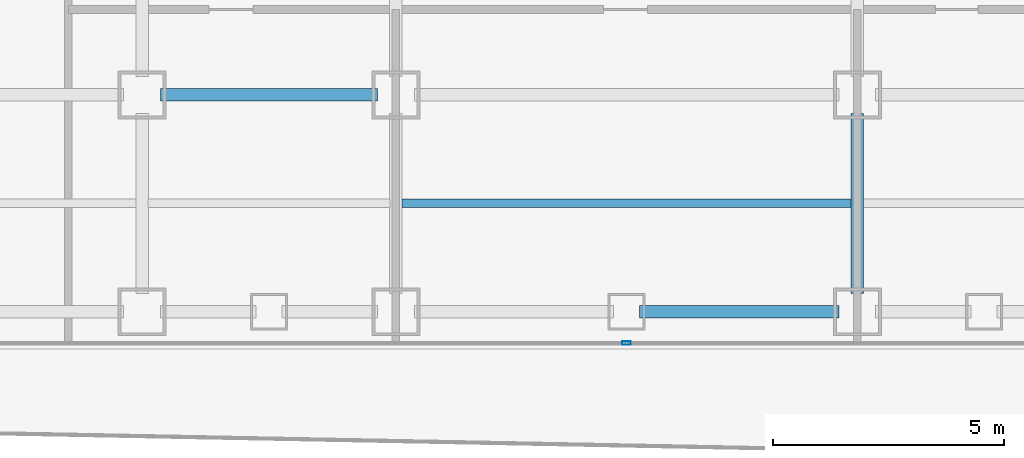
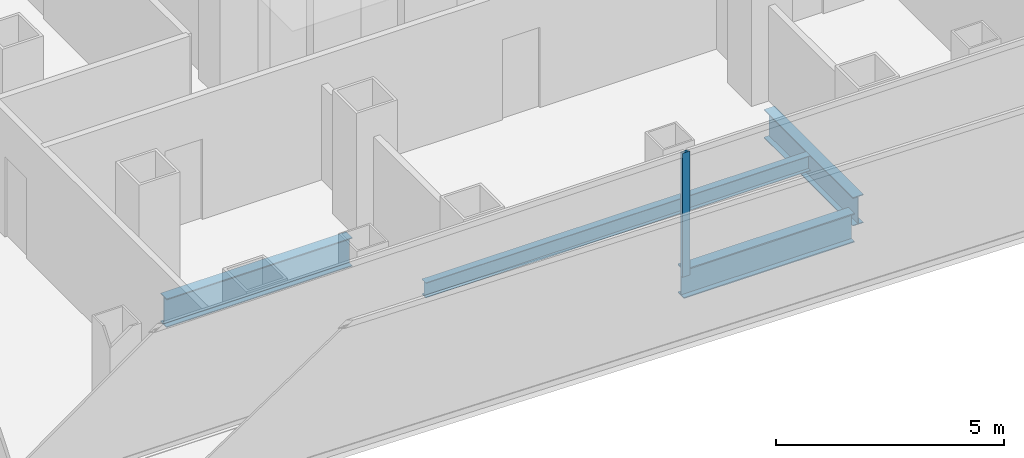
# One storey, part 4 of 21: 4 beams, 1 member, 1 element without a shape of its own.
"""IFC4 building model written with IfcOpenShell, lengths in metres."""

from ifc_helpers import new_model, si_unit, direction, frame, origin, origin_2d, place, context, subcontext, project, spatial, hollow_rectangle, i_section, extrude, source, transform, mapped, material, layer, layer_set, material_profile, profile_set, type_object, element, aggregate, save


model = new_model("IFC4")

# Units and contexts
model_context = context("Model", 3, precision=1e-05, world=origin(), true_north=direction((0.0, 1.0)))
body_context = subcontext(model_context, "Body", "Model", "MODEL_VIEW")
ifc_project = project(units=[si_unit("LENGTHUNIT", "METRE"), si_unit("AREAUNIT", "SQUARE_METRE"), si_unit("VOLUMEUNIT", "CUBIC_METRE"), si_unit("PLANEANGLEUNIT", "RADIAN"), si_unit("MASSUNIT", "GRAM", prefix="KILO")], contexts=[model_context])

# Site, building, storey
site_placement = place(None, origin())
site = spatial("IfcSite", under=ifc_project, at=site_placement, CompositionType="ELEMENT")
building_placement = place(site_placement, origin())
building = spatial("IfcBuilding", under=site, at=building_placement, Name="Kolveth Station Tower", CompositionType="ELEMENT")
storey_placement = place(building_placement, frame((0.0, 0.0, 33.300048828125)))
storey = spatial("IfcBuildingStorey", under=building, at=storey_placement, Name="L08", CompositionType="ELEMENT", Elevation=33.300048828125)

# Beams
ifc_material_1 = material(Name="Steel S355", Category="steel")
ifc_material_profile_1 = material_profile(ifc_material_1, i_section(OverallWidth=0.26904296875, OverallDepth=0.77490234375, WebThickness=0.01708984375, FlangeThickness=0.0283203125, at=origin_2d()), Name="W760x220")
ifc_profile_set_1 = profile_set([ifc_material_profile_1], Name="Steel S355")
beam_type_1 = type_object("IfcBeamType", Name="Beam_SP1", PredefinedType="SPANDREL", material=ifc_profile_set_1)
shared_shape_1 = source(origin(), body_context, "Body", "SweptSolid", [
    extrude(i_section(OverallWidth=0.26904296875, OverallDepth=0.77490234375, WebThickness=0.01708984375, FlangeThickness=0.0283203125, at=origin_2d()), origin(), (0.0, 0.0, 1.0), 4.320068359375),
])
beam_1_placement = place(storey_placement, frame((23.780029296875, 0.800048828125, -0.66748046875), z_axis=(1.0, 0.0, 0.0), x_axis=(0.0, 1.0, 0.0)))
element("IfcBeam", 1, at=beam_1_placement, inside=storey, type_object=beam_type_1, Name="L08 Perimeter Spandrel BM-L08-PS-6", PredefinedType="SPANDREL", context=body_context, shape_type="MappedRepresentation", body=[
    mapped(shared_shape_1, transform((0.0, 0.0, 0.0), x_axis=(1.0, 0.0, 0.0), y_axis=(0.0, 1.0, 0.0), z_axis=(0.0, 0.0, 1.0), scale=1.0)),
])
ifc_material_profile_2 = material_profile(ifc_material_1, i_section(OverallWidth=0.26708984375, OverallDepth=0.76611328125, WebThickness=0.014892578125, FlangeThickness=0.023681640625, at=origin_2d()), Name="W760x185")
ifc_profile_set_2 = profile_set([ifc_material_profile_2], Name="Steel S355")
beam_type_2 = type_object("IfcBeamType", Name="Beam_B3", PredefinedType="BEAM", material=ifc_profile_set_2)
shared_shape_2 = source(origin(), body_context, "Body", "SweptSolid", [
    extrude(i_section(OverallWidth=0.26708984375, OverallDepth=0.76611328125, WebThickness=0.014892578125, FlangeThickness=0.023681640625, at=origin_2d()), origin(), (0.0, 0.0, 1.0), 4.7001953125),
])
beam_2_placement = place(storey_placement, frame((13.39990234375, 5.5, -0.6630859375), z_axis=(1.0, 0.0, 0.0), x_axis=(0.0, 1.0, 0.0)))
element("IfcBeam", 2, at=beam_2_placement, inside=storey, type_object=beam_type_2, Name="L08 Primary Girder BM-L08-GY55-3", PredefinedType="BEAM", context=body_context, shape_type="MappedRepresentation", body=[
    mapped(shared_shape_2, transform((0.0, 0.0, 0.0), x_axis=(1.0, 0.0, 0.0), y_axis=(0.0, 1.0, 0.0), z_axis=(0.0, 0.0, 1.0), scale=1.0)),
])
shared_shape_3 = source(origin(), body_context, "Body", "SweptSolid", [
    extrude(i_section(OverallWidth=0.26708984375, OverallDepth=0.76611328125, WebThickness=0.014892578125, FlangeThickness=0.023681640625, at=origin_2d()), origin(), (0.0, 0.0, 1.0), 3.900146484375),
])
beam_3_placement = place(storey_placement, frame((28.5, 1.199951171875, -0.6630859375), z_axis=(0.0, 1.0, 0.0), x_axis=(-1.0, 0.0, 0.0)))
element("IfcBeam", 3, at=beam_3_placement, inside=storey, type_object=beam_type_2, Name="L08 Primary Girder BM-L08-GX285-1", PredefinedType="BEAM", context=body_context, shape_type="MappedRepresentation", body=[
    mapped(shared_shape_3, transform((0.0, 0.0, 0.0), x_axis=(1.0, 0.0, 0.0), y_axis=(0.0, 1.0, 0.0), z_axis=(0.0, 0.0, 1.0), scale=1.0)),
])
ifc_material_profile_3 = material_profile(ifc_material_1, i_section(OverallWidth=0.177978515625, OverallDepth=0.406982421875, WebThickness=0.0078125, FlangeThickness=0.0126953125, at=origin_2d()), Name="W410x60")
ifc_profile_set_3 = profile_set([ifc_material_profile_3], Name="Steel S355")
beam_type_3 = type_object("IfcBeamType", Name="Beam_J1", PredefinedType="JOIST", material=ifc_profile_set_3)
shared_shape_4 = source(origin(), body_context, "Body", "SweptSolid", [
    extrude(i_section(OverallWidth=0.177978515625, OverallDepth=0.406982421875, WebThickness=0.0078125, FlangeThickness=0.0126953125, at=origin_2d()), origin(), (0.0, 0.0, 1.0), 9.73681640625),
])
beam_4_placement = place(storey_placement, frame((18.631591796875, 3.14990234375, -0.483642578125), z_axis=(1.0, 0.0, 0.0), x_axis=(0.0, 1.0, 0.0)))
element("IfcBeam", 4, at=beam_4_placement, inside=storey, type_object=beam_type_3, Name="L08 Secondary Joist JST-L08-4-1", PredefinedType="JOIST", context=body_context, shape_type="MappedRepresentation", body=[
    mapped(shared_shape_4, transform((0.0, 0.0, 0.0), x_axis=(1.0, 0.0, 0.0), y_axis=(0.0, 1.0, 0.0), z_axis=(0.0, 0.0, 1.0), scale=1.0)),
])

# Curtain wall, member
ifc_material_2 = material(Name="Aluminium 6063-T6 and low-E dark glass", Category="aluminium")
ifc_layer = layer(ifc_material_2, 0.179931640625)
ifc_layer_set = layer_set([ifc_layer], Name="Aluminium 6063-T6 and low-E dark glass")
curtain_wall_type = type_object("IfcCurtainWallType", Name="CurtainWall_CW-Z1", PredefinedType="NOTDEFINED", material=ifc_layer_set)
curtain_wall_placement = place(storey_placement, origin())
curtain_wall = element("IfcCurtainWall", 5, at=curtain_wall_placement, inside=storey, type_object=curtain_wall_type, Name="L08 Inner Thermal Curtain Wall 12", PredefinedType="NOTDEFINED")
ifc_material_3 = material(Name="Black anodized aluminium 6063-T6", Category="aluminium")
ifc_material_profile_4 = material_profile(ifc_material_3, hollow_rectangle(XDim=0.074951171875, YDim=0.18994140625, WallThickness=0.0048828125, at=origin_2d()), Name="ALU-75x190x5")
ifc_profile_set_4 = profile_set([ifc_material_profile_4], Name="Black anodized aluminium 6063-T6")
member_type = type_object("IfcMemberType", Name="Mullion_ML1", PredefinedType="MULLION", material=ifc_profile_set_4)
shared_shape_5 = source(origin(), body_context, "Body", "SweptSolid", [
    extrude(hollow_rectangle(XDim=0.074951171875, YDim=0.18994140625, WallThickness=0.0048828125, at=origin_2d()), origin(), (0.0, 0.0, 1.0), 3.320068359375),
])
member_placement = place(storey_placement, frame((23.5, 0.1201171875, 0.0), z_axis=(0.0, 0.0, 1.0), x_axis=(0.0, 1.0, 0.0)))
member = element("IfcMember", 6, at=member_placement, type_object=member_type, Name="CW-Z1 mullion 2", PredefinedType="MULLION", context=body_context, shape_type="MappedRepresentation", body=[
    mapped(shared_shape_5, transform((0.0, 0.0, 0.0), x_axis=(1.0, 0.0, 0.0), y_axis=(0.0, 1.0, 0.0), z_axis=(0.0, 0.0, 1.0), scale=1.0)),
])
aggregate(curtain_wall, [member])

save(model, "model.ifc")
